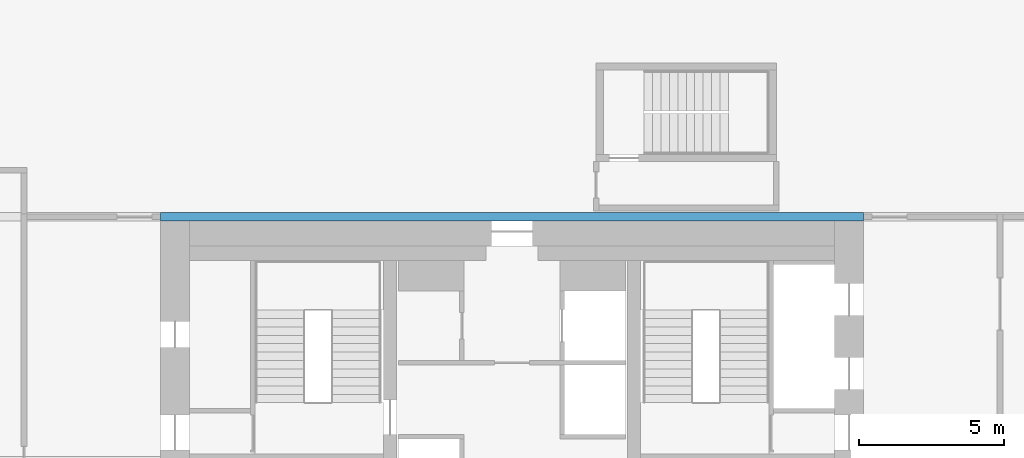
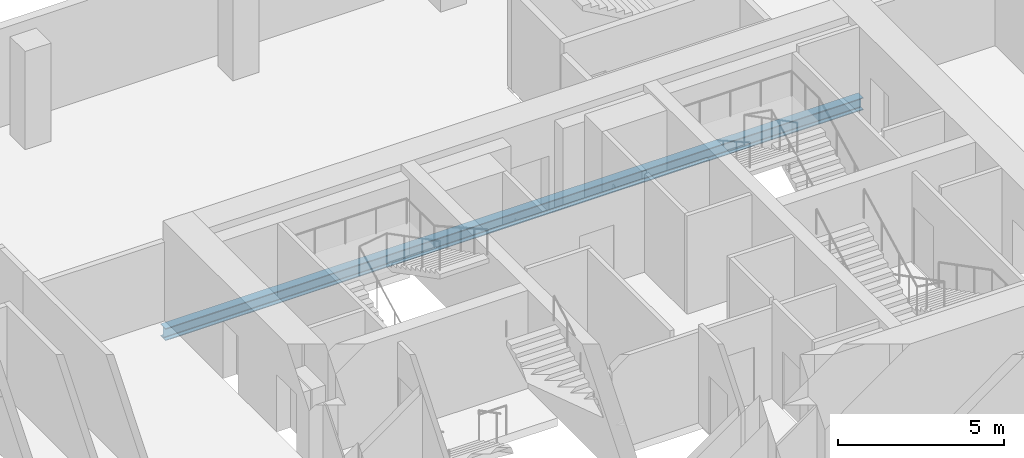
# One storey, part 9 of 21: 1 beam.
"""IFC4 building model written with IfcOpenShell, lengths in metres."""

from ifc_helpers import new_model, si_unit, direction, frame, origin, origin_2d, place, context, subcontext, project, spatial, i_section, extrude, material, material_profile, profile_set, type_object, element, save


model = new_model("IFC4")

# Units and contexts
model_context = context("Model", 3, precision=1e-05, world=origin(), true_north=direction((0.0, 1.0)))
body_context = subcontext(model_context, "Body", "Model", "MODEL_VIEW")
ifc_project = project(units=[si_unit("LENGTHUNIT", "METRE"), si_unit("AREAUNIT", "SQUARE_METRE"), si_unit("VOLUMEUNIT", "CUBIC_METRE"), si_unit("PLANEANGLEUNIT", "RADIAN"), si_unit("MASSUNIT", "GRAM", prefix="KILO")], contexts=[model_context])

# Site, building, storey
site_placement = place(None, origin())
site = spatial("IfcSite", under=ifc_project, at=site_placement, CompositionType="ELEMENT")
building_placement = place(site_placement, origin())
building = spatial("IfcBuilding", under=site, at=building_placement, Name="Marenta Gate Hotel Tower", CompositionType="ELEMENT")
storey_placement = place(building_placement, frame((0.0, 0.0, 133.699951171875)))
storey = spatial("IfcBuildingStorey", under=building, at=storey_placement, Name="L30", CompositionType="ELEMENT", Elevation=133.699951171875)

# Beam
ifc_material = material(Name="Steel S355", Category="steel")
ifc_material_profile = material_profile(ifc_material, i_section(OverallWidth=0.300048828125, OverallDepth=0.449951171875, WebThickness=0.013916015625, FlangeThickness=0.02587890625, FilletRadius=0.027099609375, at=origin_2d()), Name="HEB 450")
ifc_profile_set = profile_set([ifc_material_profile], Name="Steel S355")
beam_type = type_object("IfcBeamType", Name="Girder HEB 450", PredefinedType="BEAM", material=ifc_profile_set)
beam_placement = place(storey_placement, frame((-12.10009765625, 16.800048828125, -0.48486328125), z_axis=(1.0, 0.0, 0.0), x_axis=(0.0, 1.0, 0.0)))
element("IfcBeam", 1, at=beam_placement, inside=storey, type_object=beam_type, Name="L30-GD-26", PredefinedType="BEAM", context=body_context, shape_type="SweptSolid", body=[
    extrude(i_section(OverallWidth=0.300048828125, OverallDepth=0.449951171875, WebThickness=0.013916015625, FlangeThickness=0.02587890625, FilletRadius=0.027099609375, at=origin_2d()), origin(), (0.0, 0.0, 1.0), 24.2001953125),
])

save(model, "model.ifc")
